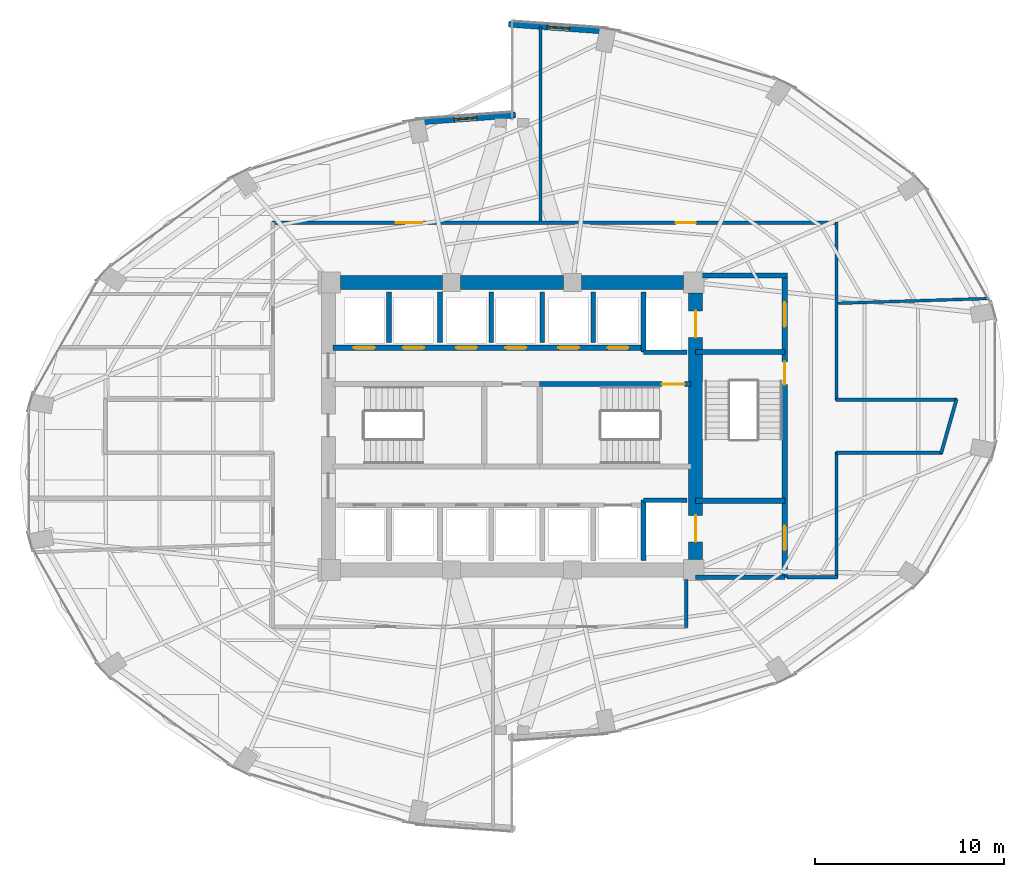
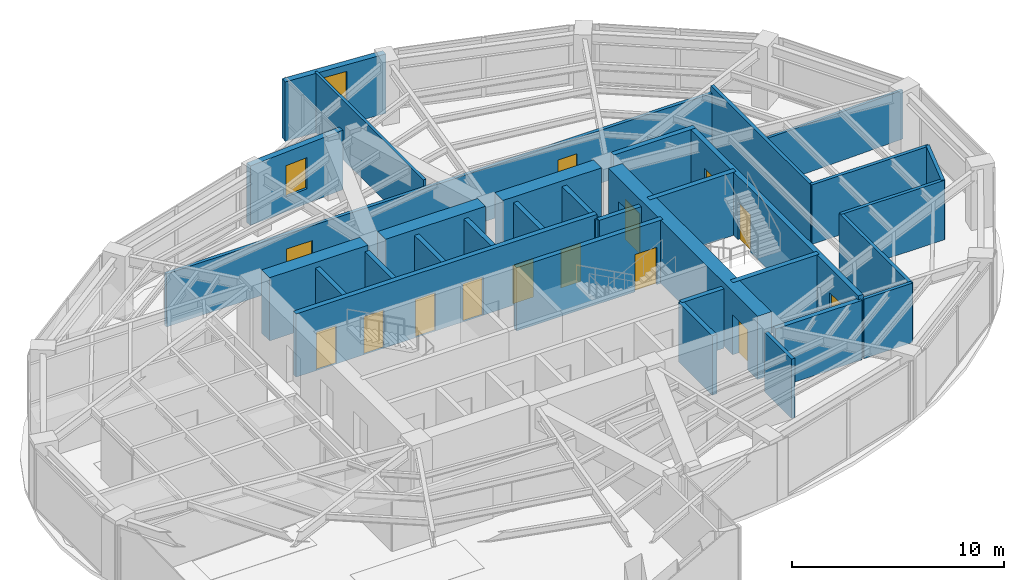
# One storey, part 21 of 24: 32 walls, 14 doors, 2 windows, 16 openings.
"""IFC4 building model written with IfcOpenShell, lengths in metres."""

from ifc_helpers import new_model, si_unit, direction, frame, frame_2d, origin, place, context, subcontext, project, spatial, rectangle, extrude, material, layer, layer_set, type_object, element, fill, save


model = new_model("IFC4")

# Units and contexts
model_context = context("Model", 3, precision=1e-05, world=origin(), true_north=direction((0.0, 1.0)))
body_context = subcontext(model_context, "Body", "Model", "MODEL_VIEW")
ifc_project = project(units=[si_unit("LENGTHUNIT", "METRE"), si_unit("AREAUNIT", "SQUARE_METRE"), si_unit("VOLUMEUNIT", "CUBIC_METRE"), si_unit("PLANEANGLEUNIT", "RADIAN"), si_unit("MASSUNIT", "GRAM", prefix="KILO")], contexts=[model_context])

# Site, building, storey
site_placement = place(None, origin())
site = spatial("IfcSite", under=ifc_project, at=site_placement, CompositionType="ELEMENT")
building_placement = place(site_placement, origin())
building = spatial("IfcBuilding", under=site, at=building_placement, Name="Lazwardi Medical Tower", CompositionType="ELEMENT")
storey_placement = place(building_placement, frame((0.0, 0.0, 96.3359375)))
storey = spatial("IfcBuildingStorey", under=building, at=storey_placement, Name="L24", CompositionType="ELEMENT", Elevation=96.3359375)

# Wall, openings, doors
ifc_material_1 = material(Name="Fire-rated gypsum board on steel stud", Category="steel")
ifc_layer_1 = layer(ifc_material_1, 0.179931640625)
ifc_layer_set_1 = layer_set([ifc_layer_1], Name="Fire-rated gypsum board on steel stud")
wall_type_1 = type_object("IfcWallType", Name="WL-COR-180", PredefinedType="PARTITIONING", material=ifc_layer_set_1)
wall_1_placement = place(storey_placement, frame((23.31005859375, 38.75, 0.0), z_axis=(0.0, 0.0, 1.0), x_axis=(1.0, 0.0, 0.0)))
wall_1 = element("IfcWall", 1, at=wall_1_placement, inside=storey, type_object=wall_type_1, Name="L24 Corridor partition 4", PredefinedType="PARTITIONING", context=body_context, shape_type="SweptSolid", body=[
    extrude(rectangle(XDim=29.8798828125, YDim=0.179931640625, at=frame_2d((14.93994140625, 0.0))), origin(), (0.0, 0.0, 1.0), 3.052978515625),
])
opening_1_placement = place(wall_1_placement, frame((21.35107421875, 0.0, 0.0)))
opening_1 = element("IfcOpeningElement", 2, at=opening_1_placement, cuts=wall_1, Name="Opening D-L24-009", PredefinedType="OPENING", context=body_context, shape_type="SweptSolid", body=[
    extrude(rectangle(XDim=1.050048828125, YDim=2.14990234375, at=frame_2d((0.52490234375, 1.074951171875))), frame((0.0, 0.099853515625, 0.0), z_axis=(0.0, -1.0, 0.0), x_axis=(1.0, 0.0, 0.0)), (0.0, 0.0, 1.0), 0.199951171875),
])
opening_2_placement = place(wall_1_placement, frame((6.553955078125, 0.0, 0.0)))
opening_2 = element("IfcOpeningElement", 3, at=opening_2_placement, cuts=wall_1, Name="Opening D-L24-010", PredefinedType="OPENING", context=body_context, shape_type="SweptSolid", body=[
    extrude(rectangle(XDim=1.39990234375, YDim=2.199951171875, at=frame_2d((0.699951171875, 1.10009765625))), frame((0.0, 0.099853515625, 0.0), z_axis=(0.0, -1.0, 0.0), x_axis=(1.0, 0.0, 0.0)), (0.0, 0.0, 1.0), 0.199951171875),
])
ifc_material_2 = material(Name="Anti-microbial laminate hospital leaf")
door_type_1 = type_object("IfcDoorType", Name="DR-BED-1400", OperationType="NOTDEFINED", PredefinedType="DOOR", material=ifc_material_2)
door_1_placement = place(opening_2_placement, origin())
door_1 = element("IfcDoor", 4, at=door_1_placement, inside=storey, type_object=door_type_1, Name="L24 Inpatient Ward Door 05", OperationType="SINGLE_SWING_RIGHT", OverallHeight=2.199951171875, OverallWidth=1.39990234375, PredefinedType="DOOR", context=body_context, shape_type="SweptSolid", body=[
    extrude(rectangle(XDim=1.39990234375, YDim=2.199951171875, at=frame_2d((0.699951171875, 1.10009765625))), frame((0.0, 0.02490234375, 0.0), z_axis=(0.0, -1.0, 0.0), x_axis=(1.0, 0.0, 0.0)), (0.0, 0.0, 1.0), 0.050048828125),
])
fill(opening_2, door_1)
door_type_2 = type_object("IfcDoorType", Name="DR-CLN-1050", OperationType="NOTDEFINED", PredefinedType="DOOR", material=ifc_material_2)
door_2_placement = place(opening_1_placement, origin())
door_2 = element("IfcDoor", 5, at=door_2_placement, inside=storey, type_object=door_type_2, Name="L24 Medical Duty Staff Room Door 04", OperationType="SINGLE_SWING_LEFT", OverallHeight=2.14990234375, OverallWidth=1.050048828125, PredefinedType="DOOR", context=body_context, shape_type="SweptSolid", body=[
    extrude(rectangle(XDim=1.050048828125, YDim=2.14990234375, at=frame_2d((0.52490234375, 1.074951171875))), frame((0.0, 0.02490234375, 0.0), z_axis=(0.0, -1.0, 0.0), x_axis=(1.0, 0.0, 0.0)), (0.0, 0.0, 1.0), 0.050048828125),
])
fill(opening_1, door_2)

# Walls
wall_2_placement = place(storey_placement, frame((53.14990234375, 38.7900390625, 0.0), z_axis=(0.0, 0.0, 1.0), x_axis=(0.0, -1.0, 0.0)))
element("IfcWall", 6, at=wall_2_placement, inside=storey, type_object=wall_type_1, Name="L24 Corridor partition 5", PredefinedType="PARTITIONING", context=body_context, shape_type="SweptSolid", body=[
    extrude(rectangle(XDim=9.429931640625, YDim=0.179931640625, at=frame_2d((4.71484375, 0.0))), origin(), (0.0, 0.0, 1.0), 3.427978515625),
])
wall_3_placement = place(storey_placement, frame((53.110107421875, 29.39990234375, 0.0), z_axis=(0.0, 0.0, 1.0), x_axis=(1.0, 0.0, 0.0)))
element("IfcWall", 7, at=wall_3_placement, inside=storey, type_object=wall_type_1, Name="L24 Corridor partition 6", PredefinedType="PARTITIONING", context=body_context, shape_type="SweptSolid", body=[
    extrude(rectangle(XDim=6.41259765625, YDim=0.179931640625, at=frame_2d((3.206298828125, 0.0))), origin(), (0.0, 0.0, 1.0), 3.427978515625),
])
wall_4_placement = place(storey_placement, frame((59.49365234375, 29.4384765625, 0.0), z_axis=(0.0, 0.0, 1.0), x_axis=(-0.273222154729, -0.961950962453, 0.0)))
element("IfcWall", 8, at=wall_4_placement, inside=storey, type_object=wall_type_1, Name="L24 Corridor partition 7", PredefinedType="PARTITIONING", context=body_context, shape_type="SweptSolid", body=[
    extrude(rectangle(XDim=2.99072265625, YDim=0.179931640625, at=frame_2d((1.495361328125, 0.0))), origin(), (0.0, 0.0, 1.0), 3.427978515625),
])
wall_5_placement = place(storey_placement, frame((58.727294921875, 26.60009765625, 0.0), z_axis=(0.0, 0.0, 1.0), x_axis=(-1.0, 0.0, 0.0)))
element("IfcWall", 9, at=wall_5_placement, inside=storey, type_object=wall_type_1, Name="L24 Corridor partition 8", PredefinedType="PARTITIONING", context=body_context, shape_type="SweptSolid", body=[
    extrude(rectangle(XDim=5.6171875, YDim=0.179931640625, at=frame_2d((2.80859375, 0.0))), origin(), (0.0, 0.0, 1.0), 3.427978515625),
])
wall_6_placement = place(storey_placement, frame((53.14990234375, 26.639892578125, 0.0), z_axis=(0.0, 0.0, 1.0), x_axis=(0.0, -1.0, 0.0)))
element("IfcWall", 10, at=wall_6_placement, inside=storey, type_object=wall_type_1, Name="L24 Corridor partition 9", PredefinedType="PARTITIONING", context=body_context, shape_type="SweptSolid", body=[
    extrude(rectangle(XDim=6.659912109375, YDim=0.179931640625, at=frame_2d((3.330078125, 0.0))), origin(), (0.0, 0.0, 1.0), 3.427978515625),
])
wall_7_placement = place(storey_placement, frame((53.18994140625, 20.02001953125, 0.0), z_axis=(0.0, 0.0, 1.0), x_axis=(-1.0, 0.0, 0.0)))
element("IfcWall", 11, at=wall_7_placement, inside=storey, type_object=wall_type_1, Name="L24 Corridor partition 10", PredefinedType="PARTITIONING", context=body_context, shape_type="SweptSolid", body=[
    extrude(rectangle(XDim=2.64990234375, YDim=0.179931640625, at=frame_2d((1.324951171875, 0.0))), origin(), (0.0, 0.0, 1.0), 3.427978515625),
])
wall_8_placement = place(storey_placement, frame((45.199951171875, 19.909912109375, 0.0), z_axis=(0.0, 0.0, 1.0), x_axis=(0.0, -1.0, 0.0)))
element("IfcWall", 12, at=wall_8_placement, inside=storey, type_object=wall_type_1, Name="L24 Corridor partition 13", PredefinedType="PARTITIONING", context=body_context, shape_type="SweptSolid", body=[
    extrude(rectangle(XDim=2.5498046875, YDim=0.179931640625, at=frame_2d((1.27490234375, 0.0))), origin(), (0.0, 0.0, 1.0), 3.427978515625),
])

# Wall, openings, doors
ifc_material_3 = material(Name="Concrete C70/85", Category="concrete")
ifc_layer_2 = layer(ifc_material_3, 0.75)
ifc_layer_set_2 = layer_set([ifc_layer_2], Name="Concrete C70/85")
wall_type_2 = type_object("IfcWallType", Name="WL-CORE-750", PredefinedType="SHEAR", material=ifc_layer_set_2)
wall_9_placement = place(storey_placement, frame((45.699951171875, 20.949951171875, 0.0), z_axis=(0.0, 0.0, 1.0), x_axis=(0.0, 1.0, 0.0)))
wall_9 = element("IfcWall", 13, at=wall_9_placement, inside=storey, type_object=wall_type_2, Name="Core wall CW-S2 east L24", PredefinedType="SHEAR", context=body_context, shape_type="SweptSolid", body=[
    extrude(rectangle(XDim=14.10009765625, YDim=0.75, at=frame_2d((7.050048828125, 0.0))), origin(), (0.0, 0.0, 1.0), 3.64794921875),
])
opening_3_placement = place(wall_9_placement, frame((11.75, 0.0, 0.0)))
opening_3 = element("IfcOpeningElement", 14, at=opening_3_placement, cuts=wall_9, Name="Opening LD-L24-001", PredefinedType="OPENING", context=body_context, shape_type="SweptSolid", body=[
    extrude(rectangle(XDim=1.39990234375, YDim=2.300048828125, at=frame_2d((0.699951171875, 1.14990234375))), frame((0.0, 0.385009765625, 0.0), z_axis=(0.0, -1.0, 0.0), x_axis=(1.0, 0.0, 0.0)), (0.0, 0.0, 1.0), 0.77001953125),
])
opening_4_placement = place(wall_9_placement, frame((0.949951171875, 0.0, 0.0)))
opening_4 = element("IfcOpeningElement", 15, at=opening_4_placement, cuts=wall_9, Name="Opening LD-L24-002", PredefinedType="OPENING", context=body_context, shape_type="SweptSolid", body=[
    extrude(rectangle(XDim=1.39990234375, YDim=2.300048828125, at=frame_2d((0.699951171875, 1.14990234375))), frame((0.0, 0.385009765625, 0.0), z_axis=(0.0, -1.0, 0.0), x_axis=(1.0, 0.0, 0.0)), (0.0, 0.0, 1.0), 0.77001953125),
])
ifc_material_4 = material(Name="Brushed stainless steel bed-lift landing door", Category="steel")
door_type_3 = type_object("IfcDoorType", Name="DR-LFT-1400", OperationType="NOTDEFINED", PredefinedType="DOOR", material=ifc_material_4)
door_3_placement = place(opening_3_placement, origin())
door_3 = element("IfcDoor", 16, at=door_3_placement, inside=storey, type_object=door_type_3, Name="L24 Lift Landing Door FL-01", OperationType="SLIDING_TO_LEFT", OverallHeight=2.300048828125, OverallWidth=1.39990234375, PredefinedType="DOOR", context=body_context, shape_type="SweptSolid", body=[
    extrude(rectangle(XDim=1.39990234375, YDim=2.300048828125, at=frame_2d((0.699951171875, 1.14990234375))), frame((0.0, 0.02490234375, 0.0), z_axis=(0.0, -1.0, 0.0), x_axis=(1.0, 0.0, 0.0)), (0.0, 0.0, 1.0), 0.050048828125),
])
fill(opening_3, door_3)
door_4_placement = place(opening_4_placement, origin())
door_4 = element("IfcDoor", 17, at=door_4_placement, inside=storey, type_object=door_type_3, Name="L24 Lift Landing Door FL-02", OperationType="SLIDING_TO_LEFT", OverallHeight=2.300048828125, OverallWidth=1.39990234375, PredefinedType="DOOR", context=body_context, shape_type="SweptSolid", body=[
    extrude(rectangle(XDim=1.39990234375, YDim=2.300048828125, at=frame_2d((0.699951171875, 1.14990234375))), frame((0.0, 0.02490234375, 0.0), z_axis=(0.0, -1.0, 0.0), x_axis=(1.0, 0.0, 0.0)), (0.0, 0.0, 1.0), 0.050048828125),
])
fill(opening_4, door_4)

# Walls
wall_10_placement = place(storey_placement, frame((26.949951171875, 35.60009765625, 0.0), z_axis=(0.0, 0.0, 1.0), x_axis=(1.0, 0.0, 0.0)))
element("IfcWall", 18, at=wall_10_placement, inside=storey, type_object=wall_type_2, Name="Core wall CW-S2 N1 L24", PredefinedType="SHEAR", context=body_context, shape_type="SweptSolid", body=[
    extrude(rectangle(XDim=5.375, YDim=0.75, at=frame_2d((2.6875, 0.0))), origin(), (0.0, 0.0, 1.0), 3.64794921875),
])
wall_11_placement = place(storey_placement, frame((33.27490234375, 35.60009765625, 0.0), z_axis=(0.0, 0.0, 1.0), x_axis=(1.0, 0.0, 0.0)))
element("IfcWall", 19, at=wall_11_placement, inside=storey, type_object=wall_type_2, Name="Core wall CW-S2 N2 L24", PredefinedType="SHEAR", context=body_context, shape_type="SweptSolid", body=[
    extrude(rectangle(XDim=5.4501953125, YDim=0.75, at=frame_2d((2.72509765625, 0.0))), origin(), (0.0, 0.0, 1.0), 3.64794921875),
])
wall_12_placement = place(storey_placement, frame((39.675048828125, 35.60009765625, 0.0), z_axis=(0.0, 0.0, 1.0), x_axis=(1.0, 0.0, 0.0)))
element("IfcWall", 20, at=wall_12_placement, inside=storey, type_object=wall_type_2, Name="Core wall CW-S2 N3 L24", PredefinedType="SHEAR", context=body_context, shape_type="SweptSolid", body=[
    extrude(rectangle(XDim=5.375, YDim=0.75, at=frame_2d((2.6875, 0.0))), origin(), (0.0, 0.0, 1.0), 3.64794921875),
])

# Wall, opening, window
ifc_material_5 = material(Name="Precast concrete C45/55", Category="concrete")
ifc_layer_3 = layer(ifc_material_5, 0.320068359375)
ifc_layer_set_3 = layer_set([ifc_layer_3], Name="Precast concrete C45/55")
wall_type_3 = type_object("IfcWallType", Name="WL-IWAN-320", PredefinedType="SOLIDWALL", material=ifc_layer_set_3)
wall_13_placement = place(storey_placement, frame((41.091064453125, 48.87451171875, 0.0), z_axis=(0.0, 0.0, 1.0), x_axis=(-0.997432364291, 0.071614793619, 0.0)))
wall_13 = element("IfcWall", 21, at=wall_13_placement, inside=storey, type_object=wall_type_3, Name="L24 Iwan Portal Return Wall NE_ret", PredefinedType="SOLIDWALL", context=body_context, shape_type="SweptSolid", body=[
    extrude(rectangle(XDim=5.2841796875, YDim=0.320068359375, at=frame_2d((2.64208984375, 0.0))), origin(), (0.0, 0.0, 1.0), 3.427978515625),
])
opening_5_placement = place(wall_13_placement, frame((2.0419921875, 0.0, 0.85009765625)))
opening_5 = element("IfcOpeningElement", 22, at=opening_5_placement, cuts=wall_13, Name="Opening WN-01", PredefinedType="OPENING", context=body_context, shape_type="SweptSolid", body=[
    extrude(rectangle(XDim=1.199951171875, YDim=2.199951171875, at=frame_2d((0.60009765625, 1.10009765625))), frame((0.0, 0.169921875, 0.0), z_axis=(0.0, -1.0, 0.0), x_axis=(1.0, 0.0, 0.0)), (0.0, 0.0, 1.0), 0.340087890625),
])
ifc_material_6 = material(Name="Low-e bronze solar control double glazing", Category="glass")
window_type_1 = type_object("IfcWindowType", Name="WIN-IW-1200", PartitioningType="SINGLE_PANEL", PredefinedType="WINDOW", material=ifc_material_6)
window_1_placement = place(opening_5_placement, origin())
window_1 = element("IfcWindow", 23, at=window_1_placement, inside=storey, type_object=window_type_1, Name="L24 Iwan Slot Window NE_ret", OverallHeight=2.199951171875, OverallWidth=1.199951171875, PartitioningType="SINGLE_PANEL", PredefinedType="WINDOW", context=body_context, shape_type="SweptSolid", body=[
    extrude(rectangle(XDim=1.199951171875, YDim=2.199951171875, at=frame_2d((0.60009765625, 1.10009765625))), frame((0.0, 0.030029296875, 0.0), z_axis=(0.0, -1.0, 0.0), x_axis=(1.0, 0.0, 0.0)), (0.0, 0.0, 1.0), 0.06005859375),
])
fill(opening_5, window_1)

wall_14_placement = place(storey_placement, frame((36.178955078125, 44.452880859375, 0.0), z_axis=(0.0, 0.0, 1.0), x_axis=(-0.997431890304, -0.071621394884, 0.0)))
wall_14 = element("IfcWall", 24, at=wall_14_placement, inside=storey, type_object=wall_type_3, Name="L24 Iwan Portal Return Wall NW_ret", PredefinedType="SOLIDWALL", context=body_context, shape_type="SweptSolid", body=[
    extrude(rectangle(XDim=5.28369140625, YDim=0.320068359375, at=frame_2d((2.641845703125, 0.0))), origin(), (0.0, 0.0, 1.0), 3.427978515625),
])
opening_6_placement = place(wall_14_placement, frame((2.041748046875, 0.0, 0.85009765625)))
opening_6 = element("IfcOpeningElement", 25, at=opening_6_placement, cuts=wall_14, Name="Opening WN-04", PredefinedType="OPENING", context=body_context, shape_type="SweptSolid", body=[
    extrude(rectangle(XDim=1.199951171875, YDim=1.800048828125, at=frame_2d((0.60009765625, 0.89990234375))), frame((0.0, 0.169921875, 0.0), z_axis=(0.0, -1.0, 0.0), x_axis=(1.0, 0.0, 0.0)), (0.0, 0.0, 1.0), 0.340087890625),
])
window_type_2 = type_object("IfcWindowType", Name="WIN-DRUM-1200", PartitioningType="SINGLE_PANEL", PredefinedType="WINDOW", material=ifc_material_6)
window_2_placement = place(opening_6_placement, origin())
window_2 = element("IfcWindow", 26, at=window_2_placement, inside=storey, type_object=window_type_2, Name="L24 Iwan Slot Window NW_ret", OverallHeight=1.800048828125, OverallWidth=1.199951171875, PartitioningType="SINGLE_PANEL", PredefinedType="WINDOW", context=body_context, shape_type="SweptSolid", body=[
    extrude(rectangle(XDim=1.199951171875, YDim=1.800048828125, at=frame_2d((0.60009765625, 0.89990234375))), frame((0.0, 0.030029296875, 0.0), z_axis=(0.0, -1.0, 0.0), x_axis=(1.0, 0.0, 0.0)), (0.0, 0.0, 1.0), 0.06005859375),
])
fill(opening_6, window_2)

# Walls
ifc_material_7 = material(Name="Autoclaved aerated concrete blockwork", Category="masonry")
ifc_layer_4 = layer(ifc_material_7, 0.25)
ifc_layer_set_4 = layer_set([ifc_layer_4], Name="Autoclaved aerated concrete blockwork")
wall_type_4 = type_object("IfcWallType", Name="WL-SHAFT-250", PredefinedType="SOLIDWALL", material=ifc_layer_set_4)
wall_15_placement = place(storey_placement, frame((42.949951171875, 31.919921875, 0.0), z_axis=(0.0, 0.0, 1.0), x_axis=(0.0, 1.0, 0.0)))
element("IfcWall", 27, at=wall_15_placement, inside=storey, type_object=wall_type_4, Name="L24 FL-01 West shaft wall", PredefinedType="SOLIDWALL", context=body_context, shape_type="SweptSolid", body=[
    extrude(rectangle(XDim=3.18017578125, YDim=0.25, at=frame_2d((1.590087890625, 0.0))), origin(), (0.0, 0.0, 1.0), 3.427978515625),
])
wall_16_placement = place(storey_placement, frame((42.949951171875, 31.919921875, 0.0), z_axis=(0.0, 0.0, 1.0), x_axis=(1.0, 0.0, 0.0)))
element("IfcWall", 28, at=wall_16_placement, inside=storey, type_object=wall_type_4, Name="L24 FL-01 South shaft wall", PredefinedType="SOLIDWALL", context=body_context, shape_type="SweptSolid", body=[
    extrude(rectangle(XDim=2.300048828125, YDim=0.25, at=frame_2d((1.14990234375, 0.0))), origin(), (0.0, 0.0, 1.0), 3.427978515625),
])
wall_17_placement = place(storey_placement, frame((42.949951171875, 20.89990234375, 0.0), z_axis=(0.0, 0.0, 1.0), x_axis=(0.0, 1.0, 0.0)))
element("IfcWall", 29, at=wall_17_placement, inside=storey, type_object=wall_type_4, Name="L24 FL-02 West shaft wall", PredefinedType="SOLIDWALL", context=body_context, shape_type="SweptSolid", body=[
    extrude(rectangle(XDim=3.2001953125, YDim=0.25, at=frame_2d((1.60009765625, 0.0))), origin(), (0.0, 0.0, 1.0), 3.427978515625),
])
wall_18_placement = place(storey_placement, frame((42.949951171875, 24.10009765625, 0.0), z_axis=(0.0, 0.0, 1.0), x_axis=(1.0, 0.0, 0.0)))
element("IfcWall", 30, at=wall_18_placement, inside=storey, type_object=wall_type_4, Name="L24 FL-02 North shaft wall", PredefinedType="SOLIDWALL", context=body_context, shape_type="SweptSolid", body=[
    extrude(rectangle(XDim=2.300048828125, YDim=0.25, at=frame_2d((1.14990234375, 0.0))), origin(), (0.0, 0.0, 1.0), 3.427978515625),
])
for number, where, z_axis, x_axis, name in (
    (31, (29.5, 32.419921875, 0.0), (0.0, 0.0, 1.0), (0.0, 1.0, 0.0), "L24 North hoistway divider"),
    (32, (32.199951171875, 32.419921875, 0.0), (0.0, 0.0, 1.0), (0.0, 1.0, 0.0), "L24 North hoistway divider"),
    (33, (34.89990234375, 32.419921875, 0.0), (0.0, 0.0, 1.0), (0.0, 1.0, 0.0), "L24 North hoistway divider"),
    (34, (37.60009765625, 32.419921875, 0.0), (0.0, 0.0, 1.0), (0.0, 1.0, 0.0), "L24 North hoistway divider"),
    (35, (40.300048828125, 32.419921875, 0.0), (0.0, 0.0, 1.0), (0.0, 1.0, 0.0), "L24 North hoistway divider"),
):
    element("IfcWall", number, at=place(storey_placement, frame(where, z_axis=z_axis, x_axis=x_axis)), inside=storey, type_object=wall_type_4, Name=name, PredefinedType="SOLIDWALL", context=body_context, shape_type="SweptSolid", body=[
        extrude(rectangle(XDim=2.68017578125, YDim=0.25, at=frame_2d((1.340087890625, 0.0))), origin(), (0.0, 0.0, 1.0), 3.427978515625),
    ])
wall_19_placement = place(storey_placement, frame((45.699951171875, 20.02001953125, 0.0), z_axis=(0.0, 0.0, 1.0), x_axis=(1.0, 0.0, 0.0)))
element("IfcWall", 36, at=wall_19_placement, inside=storey, type_object=wall_type_4, Name="L24 FFL-S South wall", PredefinedType="SOLIDWALL", context=body_context, shape_type="SweptSolid", body=[
    extrude(rectangle(XDim=4.715087890625, YDim=0.25, at=frame_2d((2.357421875, 0.0))), origin(), (0.0, 0.0, 1.0), 3.427978515625),
])

# Wall, opening, door
ifc_material_8 = material(Name="Concrete C50/60", Category="concrete")
ifc_layer_5 = layer(ifc_material_8, 0.27001953125)
ifc_layer_set_5 = layer_set([ifc_layer_5], Name="Concrete C50/60")
wall_type_5 = type_object("IfcWallType", Name="WL-STR-250", PredefinedType="SHEAR", material=ifc_layer_set_5)
wall_20_placement = place(storey_placement, frame((37.465087890625, 30.235107421875, 0.0), z_axis=(0.0, 0.0, 1.0), x_axis=(1.0, 0.0, 0.0)))
wall_20 = element("IfcWall", 37, at=wall_20_placement, inside=storey, type_object=wall_type_5, Name="L24 ST2 North shear shaft wall SW-S1", PredefinedType="SHEAR", context=body_context, shape_type="SweptSolid", body=[
    extrude(rectangle(XDim=7.98486328125, YDim=0.27001953125, at=frame_2d((3.992431640625, 0.0))), origin(), (0.0, 0.0, 1.0), 3.64794921875),
])
opening_7_placement = place(wall_20_placement, frame((6.455078125, 0.0, 0.0)))
opening_7 = element("IfcOpeningElement", 38, at=opening_7_placement, cuts=wall_20, Name="Opening D-L24-014", PredefinedType="OPENING", context=body_context, shape_type="SweptSolid", body=[
    extrude(rectangle(XDim=1.199951171875, YDim=2.14990234375, at=frame_2d((0.60009765625, 1.074951171875))), frame((0.0, 0.14501953125, 0.0), z_axis=(0.0, -1.0, 0.0), x_axis=(1.0, 0.0, 0.0)), (0.0, 0.0, 1.0), 0.2900390625),
])
ifc_material_9 = material(Name="Fire-rated steel leaf and frame", Category="steel")
door_type_4 = type_object("IfcDoorType", Name="DR-STR-1200", OperationType="NOTDEFINED", PredefinedType="DOOR", material=ifc_material_9)
door_5_placement = place(opening_7_placement, origin())
door_5 = element("IfcDoor", 39, at=door_5_placement, inside=storey, type_object=door_type_4, Name="L24 Exit Stair ST2 Door", OperationType="SINGLE_SWING_LEFT", OverallHeight=2.14990234375, OverallWidth=1.199951171875, PredefinedType="DOOR", context=body_context, shape_type="SweptSolid", body=[
    extrude(rectangle(XDim=1.199951171875, YDim=2.14990234375, at=frame_2d((0.60009765625, 1.074951171875))), frame((0.0, 0.02490234375, 0.0), z_axis=(0.0, -1.0, 0.0), x_axis=(1.0, 0.0, 0.0)), (0.0, 0.0, 1.0), 0.050048828125),
])
fill(opening_7, door_5)

# Wall, openings, doors
wall_21_placement = place(storey_placement, frame((26.550048828125, 32.14990234375, 0.0), z_axis=(0.0, 0.0, 1.0), x_axis=(1.0, 0.0, 0.0)))
wall_21 = element("IfcWall", 40, at=wall_21_placement, inside=storey, type_object=wall_type_5, Name="L24 North lift bank shear wall SW-S1", PredefinedType="SHEAR", context=body_context, shape_type="SweptSolid", body=[
    extrude(rectangle(XDim=16.39990234375, YDim=0.27001953125, at=frame_2d((8.199951171875, 0.0))), origin(), (0.0, 0.0, 1.0), 3.64794921875),
])
opening_8_placement = place(wall_21_placement, frame((1.10009765625, 0.0, 0.0)))
opening_8 = element("IfcOpeningElement", 41, at=opening_8_placement, cuts=wall_21, Name="Opening LD-L24-004", PredefinedType="OPENING", context=body_context, shape_type="SweptSolid", body=[
    extrude(rectangle(XDim=1.10009765625, YDim=2.199951171875, at=frame_2d((0.550048828125, 1.10009765625))), frame((0.0, 0.14501953125, 0.0), z_axis=(0.0, -1.0, 0.0), x_axis=(1.0, 0.0, 0.0)), (0.0, 0.0, 1.0), 0.2900390625),
])
opening_9_placement = place(wall_21_placement, frame((3.699951171875, 0.0, 0.0)))
opening_9 = element("IfcOpeningElement", 42, at=opening_9_placement, cuts=wall_21, Name="Opening LD-L24-005", PredefinedType="OPENING", context=body_context, shape_type="SweptSolid", body=[
    extrude(rectangle(XDim=1.10009765625, YDim=2.199951171875, at=frame_2d((0.550048828125, 1.10009765625))), frame((0.0, 0.14501953125, 0.0), z_axis=(0.0, -1.0, 0.0), x_axis=(1.0, 0.0, 0.0)), (0.0, 0.0, 1.0), 0.2900390625),
])
opening_10_placement = place(wall_21_placement, frame((6.5, 0.0, 0.0)))
opening_10 = element("IfcOpeningElement", 43, at=opening_10_placement, cuts=wall_21, Name="Opening LD-L24-008", PredefinedType="OPENING", context=body_context, shape_type="SweptSolid", body=[
    extrude(rectangle(XDim=1.10009765625, YDim=2.199951171875, at=frame_2d((0.550048828125, 1.10009765625))), frame((0.0, 0.14501953125, 0.0), z_axis=(0.0, -1.0, 0.0), x_axis=(1.0, 0.0, 0.0)), (0.0, 0.0, 1.0), 0.2900390625),
])
opening_11_placement = place(wall_21_placement, frame((9.10009765625, 0.0, 0.0)))
opening_11 = element("IfcOpeningElement", 44, at=opening_11_placement, cuts=wall_21, Name="Opening LD-L24-009", PredefinedType="OPENING", context=body_context, shape_type="SweptSolid", body=[
    extrude(rectangle(XDim=1.10009765625, YDim=2.199951171875, at=frame_2d((0.550048828125, 1.10009765625))), frame((0.0, 0.14501953125, 0.0), z_axis=(0.0, -1.0, 0.0), x_axis=(1.0, 0.0, 0.0)), (0.0, 0.0, 1.0), 0.2900390625),
])
opening_12_placement = place(wall_21_placement, frame((11.89990234375, 0.0, 0.0)))
opening_12 = element("IfcOpeningElement", 45, at=opening_12_placement, cuts=wall_21, Name="Opening LD-L24-012", PredefinedType="OPENING", context=body_context, shape_type="SweptSolid", body=[
    extrude(rectangle(XDim=1.10009765625, YDim=2.199951171875, at=frame_2d((0.550048828125, 1.10009765625))), frame((0.0, 0.14501953125, 0.0), z_axis=(0.0, -1.0, 0.0), x_axis=(1.0, 0.0, 0.0)), (0.0, 0.0, 1.0), 0.2900390625),
])
opening_13_placement = place(wall_21_placement, frame((14.5, 0.0, 0.0)))
opening_13 = element("IfcOpeningElement", 46, at=opening_13_placement, cuts=wall_21, Name="Opening LD-L24-013", PredefinedType="OPENING", context=body_context, shape_type="SweptSolid", body=[
    extrude(rectangle(XDim=1.10009765625, YDim=2.199951171875, at=frame_2d((0.550048828125, 1.10009765625))), frame((0.0, 0.14501953125, 0.0), z_axis=(0.0, -1.0, 0.0), x_axis=(1.0, 0.0, 0.0)), (0.0, 0.0, 1.0), 0.2900390625),
])
ifc_material_10 = material(Name="Brushed bronze stainless steel landing door", Category="steel")
door_type_5 = type_object("IfcDoorType", Name="DR-LFT-1100", OperationType="NOTDEFINED", PredefinedType="DOOR", material=ifc_material_10)
door_6_placement = place(opening_8_placement, origin())
door_6 = element("IfcDoor", 47, at=door_6_placement, inside=storey, type_object=door_type_5, Name="L24 Lift Landing Door PL-01", OperationType="SLIDING_TO_LEFT", OverallHeight=2.199951171875, OverallWidth=1.10009765625, PredefinedType="DOOR", context=body_context, shape_type="SweptSolid", body=[
    extrude(rectangle(XDim=1.10009765625, YDim=2.199951171875, at=frame_2d((0.550048828125, 1.10009765625))), frame((0.0, 0.02490234375, 0.0), z_axis=(0.0, -1.0, 0.0), x_axis=(1.0, 0.0, 0.0)), (0.0, 0.0, 1.0), 0.050048828125),
])
fill(opening_8, door_6)
door_7_placement = place(opening_9_placement, origin())
door_7 = element("IfcDoor", 48, at=door_7_placement, inside=storey, type_object=door_type_5, Name="L24 Lift Landing Door PL-02", OperationType="SLIDING_TO_LEFT", OverallHeight=2.199951171875, OverallWidth=1.10009765625, PredefinedType="DOOR", context=body_context, shape_type="SweptSolid", body=[
    extrude(rectangle(XDim=1.10009765625, YDim=2.199951171875, at=frame_2d((0.550048828125, 1.10009765625))), frame((0.0, 0.02490234375, 0.0), z_axis=(0.0, -1.0, 0.0), x_axis=(1.0, 0.0, 0.0)), (0.0, 0.0, 1.0), 0.050048828125),
])
fill(opening_9, door_7)
door_8_placement = place(opening_10_placement, origin())
door_8 = element("IfcDoor", 49, at=door_8_placement, inside=storey, type_object=door_type_5, Name="L24 Lift Landing Door PL-05", OperationType="SLIDING_TO_LEFT", OverallHeight=2.199951171875, OverallWidth=1.10009765625, PredefinedType="DOOR", context=body_context, shape_type="SweptSolid", body=[
    extrude(rectangle(XDim=1.10009765625, YDim=2.199951171875, at=frame_2d((0.550048828125, 1.10009765625))), frame((0.0, 0.02490234375, 0.0), z_axis=(0.0, -1.0, 0.0), x_axis=(1.0, 0.0, 0.0)), (0.0, 0.0, 1.0), 0.050048828125),
])
fill(opening_10, door_8)
door_9_placement = place(opening_11_placement, origin())
door_9 = element("IfcDoor", 50, at=door_9_placement, inside=storey, type_object=door_type_5, Name="L24 Lift Landing Door PL-06", OperationType="SLIDING_TO_LEFT", OverallHeight=2.199951171875, OverallWidth=1.10009765625, PredefinedType="DOOR", context=body_context, shape_type="SweptSolid", body=[
    extrude(rectangle(XDim=1.10009765625, YDim=2.199951171875, at=frame_2d((0.550048828125, 1.10009765625))), frame((0.0, 0.02490234375, 0.0), z_axis=(0.0, -1.0, 0.0), x_axis=(1.0, 0.0, 0.0)), (0.0, 0.0, 1.0), 0.050048828125),
])
fill(opening_11, door_9)
door_10_placement = place(opening_12_placement, origin())
door_10 = element("IfcDoor", 51, at=door_10_placement, inside=storey, type_object=door_type_5, Name="L24 Lift Landing Door PL-09", OperationType="SLIDING_TO_LEFT", OverallHeight=2.199951171875, OverallWidth=1.10009765625, PredefinedType="DOOR", context=body_context, shape_type="SweptSolid", body=[
    extrude(rectangle(XDim=1.10009765625, YDim=2.199951171875, at=frame_2d((0.550048828125, 1.10009765625))), frame((0.0, 0.02490234375, 0.0), z_axis=(0.0, -1.0, 0.0), x_axis=(1.0, 0.0, 0.0)), (0.0, 0.0, 1.0), 0.050048828125),
])
fill(opening_12, door_10)
door_11_placement = place(opening_13_placement, origin())
door_11 = element("IfcDoor", 52, at=door_11_placement, inside=storey, type_object=door_type_5, Name="L24 Lift Landing Door PL-10", OperationType="SLIDING_TO_LEFT", OverallHeight=2.199951171875, OverallWidth=1.10009765625, PredefinedType="DOOR", context=body_context, shape_type="SweptSolid", body=[
    extrude(rectangle(XDim=1.10009765625, YDim=2.199951171875, at=frame_2d((0.550048828125, 1.10009765625))), frame((0.0, 0.02490234375, 0.0), z_axis=(0.0, -1.0, 0.0), x_axis=(1.0, 0.0, 0.0)), (0.0, 0.0, 1.0), 0.050048828125),
])
fill(opening_13, door_11)

wall_22_placement = place(storey_placement, frame((50.4150390625, 35.844970703125, 0.0), z_axis=(0.0, 0.0, 1.0), x_axis=(0.0, -1.0, 0.0)))
wall_22 = element("IfcWall", 53, at=wall_22_placement, inside=storey, type_object=wall_type_5, Name="L24 East ST3 & FFL shear wall SW-S1", PredefinedType="SHEAR", context=body_context, shape_type="SweptSolid", body=[
    extrude(rectangle(XDim=15.824951171875, YDim=0.27001953125, at=frame_2d((7.91259765625, 0.0))), origin(), (0.0, 0.0, 1.0), 3.64794921875),
])
opening_14_placement = place(wall_22_placement, frame((4.445068359375, 0.0, 0.0)))
opening_14 = element("IfcOpeningElement", 54, at=opening_14_placement, cuts=wall_22, Name="Opening D-L24-015", PredefinedType="OPENING", context=body_context, shape_type="SweptSolid", body=[
    extrude(rectangle(XDim=1.199951171875, YDim=2.14990234375, at=frame_2d((0.60009765625, 1.074951171875))), frame((0.0, 0.14501953125, 0.0), z_axis=(0.0, -1.0, 0.0), x_axis=(1.0, 0.0, 0.0)), (0.0, 0.0, 1.0), 0.2900390625),
])
opening_15_placement = place(wall_22_placement, frame((1.294921875, 0.0, 0.0)))
opening_15 = element("IfcOpeningElement", 55, at=opening_15_placement, cuts=wall_22, Name="Opening D-L24-002", PredefinedType="OPENING", context=body_context, shape_type="SweptSolid", body=[
    extrude(rectangle(XDim=1.300048828125, YDim=2.199951171875, at=frame_2d((0.64990234375, 1.10009765625))), frame((0.0, 0.14501953125, 0.0), z_axis=(0.0, -1.0, 0.0), x_axis=(1.0, 0.0, 0.0)), (0.0, 0.0, 1.0), 0.2900390625),
])
opening_16_placement = place(wall_22_placement, frame((13.094970703125, 0.0, 0.0)))
opening_16 = element("IfcOpeningElement", 56, at=opening_16_placement, cuts=wall_22, Name="Opening D-L24-003", PredefinedType="OPENING", context=body_context, shape_type="SweptSolid", body=[
    extrude(rectangle(XDim=1.300048828125, YDim=2.199951171875, at=frame_2d((0.64990234375, 1.10009765625))), frame((0.0, 0.14501953125, 0.0), z_axis=(0.0, -1.0, 0.0), x_axis=(1.0, 0.0, 0.0)), (0.0, 0.0, 1.0), 0.2900390625),
])
door_type_6 = type_object("IfcDoorType", Name="DR-FFL-1300", OperationType="NOTDEFINED", PredefinedType="DOOR", material=ifc_material_9)
door_12_placement = place(opening_15_placement, origin())
door_12 = element("IfcDoor", 57, at=door_12_placement, inside=storey, type_object=door_type_6, Name="L24 Fire-Fighting Lobby North Door", OperationType="SINGLE_SWING_RIGHT", OverallHeight=2.199951171875, OverallWidth=1.300048828125, PredefinedType="DOOR", context=body_context, shape_type="SweptSolid", body=[
    extrude(rectangle(XDim=1.300048828125, YDim=2.199951171875, at=frame_2d((0.64990234375, 1.10009765625))), frame((0.0, 0.02490234375, 0.0), z_axis=(0.0, -1.0, 0.0), x_axis=(1.0, 0.0, 0.0)), (0.0, 0.0, 1.0), 0.050048828125),
])
fill(opening_15, door_12)
door_13_placement = place(opening_16_placement, origin())
door_13 = element("IfcDoor", 58, at=door_13_placement, inside=storey, type_object=door_type_6, Name="L24 Fire-Fighting Lobby South Door", OperationType="SINGLE_SWING_LEFT", OverallHeight=2.199951171875, OverallWidth=1.300048828125, PredefinedType="DOOR", context=body_context, shape_type="SweptSolid", body=[
    extrude(rectangle(XDim=1.300048828125, YDim=2.199951171875, at=frame_2d((0.64990234375, 1.10009765625))), frame((0.0, 0.02490234375, 0.0), z_axis=(0.0, -1.0, 0.0), x_axis=(1.0, 0.0, 0.0)), (0.0, 0.0, 1.0), 0.050048828125),
])
fill(opening_16, door_13)
door_14_placement = place(opening_14_placement, origin())
door_14 = element("IfcDoor", 59, at=door_14_placement, inside=storey, type_object=door_type_4, Name="L24 Exit Stair ST3 Door", OperationType="SINGLE_SWING_LEFT", OverallHeight=2.14990234375, OverallWidth=1.199951171875, PredefinedType="DOOR", context=body_context, shape_type="SweptSolid", body=[
    extrude(rectangle(XDim=1.199951171875, YDim=2.14990234375, at=frame_2d((0.60009765625, 1.074951171875))), frame((0.0, 0.02490234375, 0.0), z_axis=(0.0, -1.0, 0.0), x_axis=(1.0, 0.0, 0.0)), (0.0, 0.0, 1.0), 0.050048828125),
])
fill(opening_14, door_14)

# Walls
wall_23_placement = place(storey_placement, frame((46.074951171875, 35.97998046875, 0.0), z_axis=(0.0, 0.0, 1.0), x_axis=(1.0, 0.0, 0.0)))
element("IfcWall", 60, at=wall_23_placement, inside=storey, type_object=wall_type_5, Name="L24 FFL-N North shear wall SW-S1", PredefinedType="SHEAR", context=body_context, shape_type="SweptSolid", body=[
    extrude(rectangle(XDim=4.47509765625, YDim=0.27001953125, at=frame_2d((2.237548828125, 0.0))), origin(), (0.0, 0.0, 1.0), 3.64794921875),
])
for number, where, z_axis, x_axis, name in (
    (61, (45.699951171875, 31.93505859375, 0.0), (0.0, 0.0, 1.0), (1.0, 0.0, 0.0), "L24 ST3 North shear shaft wall SW-S1"),
    (62, (45.699951171875, 24.06494140625, 0.0), (0.0, 0.0, 1.0), (1.0, 0.0, 0.0), "L24 ST3 South shear shaft wall SW-S1"),
):
    element("IfcWall", number, at=place(storey_placement, frame(where, z_axis=z_axis, x_axis=x_axis)), inside=storey, type_object=wall_type_5, Name=name, PredefinedType="SHEAR", context=body_context, shape_type="SweptSolid", body=[
        extrude(rectangle(XDim=4.715087890625, YDim=0.27001953125, at=frame_2d((2.357421875, 0.0))), origin(), (0.0, 0.0, 1.0), 3.64794921875),
    ])
ifc_material_11 = material(Name="Acoustic gypsum board partition")
ifc_layer_6 = layer(ifc_material_11, 0.14990234375)
ifc_layer_set_6 = layer_set([ifc_layer_6], Name="Acoustic gypsum board partition")
wall_type_6 = type_object("IfcWallType", Name="WL-WRD-150", PredefinedType="PARTITIONING", material=ifc_layer_set_6)
wall_24_placement = place(storey_placement, frame((53.239990234375, 34.50244140625, 0.0), z_axis=(0.0, 0.0, 1.0), x_axis=(0.999499445349, 0.031636351679, 0.0)))
element("IfcWall", 63, at=wall_24_placement, inside=storey, type_object=wall_type_6, Name="L24 Room partition 5", PredefinedType="PARTITIONING", context=body_context, shape_type="SweptSolid", body=[
    extrude(rectangle(XDim=7.93310546875, YDim=0.14990234375, at=frame_2d((3.966552734375, 0.0))), origin(), (0.0, 0.0, 1.0), 2.81298828125),
])
wall_25_placement = place(storey_placement, frame((37.5, 38.840087890625, 0.0), z_axis=(0.0, 0.0, 1.0), x_axis=(0.0, 1.0, 0.0)))
element("IfcWall", 64, at=wall_25_placement, inside=storey, type_object=wall_type_6, Name="L24 Room partition 6", PredefinedType="PARTITIONING", context=body_context, shape_type="SweptSolid", body=[
    extrude(rectangle(XDim=10.27392578125, YDim=0.14990234375, at=frame_2d((5.136962890625, 0.0))), origin(), (0.0, 0.0, 1.0), 3.427978515625),
])

save(model, "model.ifc")
